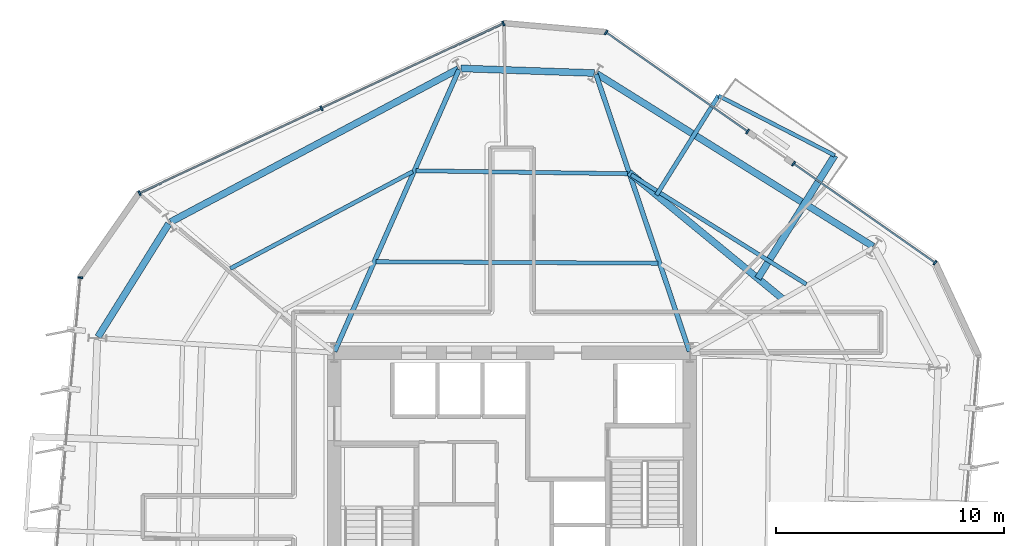
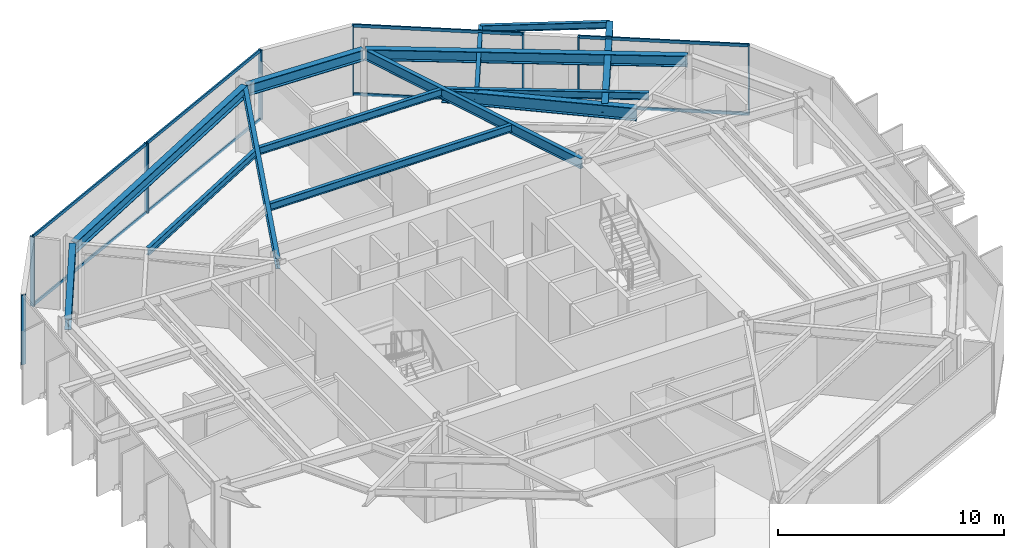
# One storey, part 5 of 12: 16 members, 14 beams, 4 elements without a shape of their own.
"""IFC4 building model written with IfcOpenShell, lengths in metres."""

from ifc_helpers import new_model, si_unit, direction, frame, origin, origin_2d, place, context, subcontext, project, spatial, rectangle, i_section, extrude, material, layer, layer_set, material_profile, profile_set, type_object, element, aggregate, save


model = new_model("IFC4")

# Units and contexts
model_context = context("Model", 3, precision=1e-05, world=origin(), true_north=direction((0.0, 1.0)))
body_context = subcontext(model_context, "Body", "Model", "MODEL_VIEW")
ifc_project = project(units=[si_unit("LENGTHUNIT", "METRE"), si_unit("AREAUNIT", "SQUARE_METRE"), si_unit("VOLUMEUNIT", "CUBIC_METRE"), si_unit("PLANEANGLEUNIT", "RADIAN"), si_unit("MASSUNIT", "GRAM", prefix="KILO")], contexts=[model_context])

# Site, building, storey
site_placement = place(None, origin())
site = spatial("IfcSite", under=ifc_project, at=site_placement, CompositionType="ELEMENT")
building_placement = place(site_placement, origin())
building = spatial("IfcBuilding", under=site, at=building_placement, Name="Kranzbogen Civic Tower", CompositionType="ELEMENT")
storey_placement = place(building_placement, frame((0.0, 0.0, 122.39990234375)))
storey = spatial("IfcBuildingStorey", under=building, at=storey_placement, Name="L29", CompositionType="ELEMENT", Elevation=122.39990234375)

# Beam
ifc_material_1 = material(Name="Steel S355", Category="steel")
ifc_material_profile_1 = material_profile(ifc_material_1, i_section(OverallWidth=0.18994140625, OverallDepth=0.449951171875, WebThickness=0.009521484375, FlangeThickness=0.0146484375, at=origin_2d()), Name="IPE 450")
ifc_profile_set_1 = profile_set([ifc_material_profile_1], Name="Steel S355")
beam_type_1 = type_object("IfcBeamType", Name="Braced Terrace Edge Beam IPE 450", PredefinedType="BEAM", material=ifc_profile_set_1)
beam_1_placement = place(storey_placement, frame((31.337890625, 39.116943359375, 3.4951171875), z_axis=(0.530024595474, 0.847982268796, 0.0), x_axis=(-0.847982268796, 0.530024595474, 0.0)))
element("IfcBeam", 1, at=beam_1_placement, inside=storey, type_object=beam_type_1, Name="L30 back-spanned terrace beam L30-ST-2", PredefinedType="BEAM", context=body_context, shape_type="SweptSolid", body=[
    extrude(i_section(OverallWidth=0.18994140625, OverallDepth=0.449951171875, WebThickness=0.009521484375, FlangeThickness=0.0146484375, at=origin_2d()), origin(), (0.0, 0.0, 1.0), 5.13232421875),
])

# Curtain wall, members
ifc_material_2 = material(Name="Pale Anodised Aluminium", Category="aluminium")
ifc_layer = layer(ifc_material_2, 0.219970703125, Name="Pale Anodised Aluminium")
ifc_layer_set = layer_set([ifc_layer], Name="Pale Anodised Aluminium")
curtain_wall_type = type_object("IfcCurtainWallType", Name="Zone 2 Stick Curtain Wall System CW-03", PredefinedType="USERDEFINED", material=ifc_layer_set)
curtain_wall_1_placement = place(storey_placement, origin())
curtain_wall_1 = element("IfcCurtainWall", 2, at=curtain_wall_1_placement, inside=storey, type_object=curtain_wall_type, Name="L29 curtain wall CW-L29-F1-S1", ObjectType="STICK CURTAIN WALL", PredefinedType="USERDEFINED")
ifc_material_profile_2 = material_profile(ifc_material_2, rectangle(XDim=0.074951171875, YDim=0.219970703125, at=origin_2d()), Name="ALU-M 75x220")
ifc_profile_set_2 = profile_set([ifc_material_profile_2], Name="Pale Anodised Aluminium")
member_type_1 = type_object("IfcMemberType", Name="Curtain Wall Mullion ALU-M 75x220", PredefinedType="MULLION", material=ifc_profile_set_2)
member_1_placement = place(storey_placement, frame((43.552490234375, 36.146240234375, 0.0), z_axis=(0.0, 0.0, 1.0), x_axis=(-0.819114974608, 0.573629373701, 0.0)))
member_1 = element("IfcMember", 3, at=member_1_placement, type_object=member_type_1, Name="CW-03 mullion 1", PredefinedType="MULLION", context=body_context, shape_type="SweptSolid", body=[
    extrude(rectangle(XDim=0.074951171875, YDim=0.219970703125, at=origin_2d()), origin(), (0.0, 0.0, 1.0), 3.760009765625),
])
member_2_placement = place(storey_placement, frame((37.3486328125, 40.49072265625, 0.0), z_axis=(0.0, 0.0, 1.0), x_axis=(-0.819114974608, 0.573629373701, 0.0)))
member_2 = element("IfcMember", 4, at=member_2_placement, type_object=member_type_1, Name="CW-03 mullion 2", PredefinedType="MULLION", context=body_context, shape_type="SweptSolid", body=[
    extrude(rectangle(XDim=0.074951171875, YDim=0.219970703125, at=origin_2d()), origin(), (0.0, 0.0, 1.0), 3.760009765625),
])

curtain_wall_2_placement = place(storey_placement, origin())
curtain_wall_2 = element("IfcCurtainWall", 5, at=curtain_wall_2_placement, inside=storey, type_object=curtain_wall_type, Name="L29 curtain wall CW-L29-F1-S2", ObjectType="STICK CURTAIN WALL", PredefinedType="USERDEFINED")
member_3_placement = place(storey_placement, frame((35.33349609375, 41.901123046875, 0.0), z_axis=(0.0, 0.0, 1.0), x_axis=(-0.819096531052, 0.573655709305, 0.0)))
member_3 = element("IfcMember", 6, at=member_3_placement, type_object=member_type_1, Name="CW-03 mullion 1", PredefinedType="MULLION", context=body_context, shape_type="SweptSolid", body=[
    extrude(rectangle(XDim=0.074951171875, YDim=0.219970703125, at=origin_2d()), origin(), (0.0, 0.0, 1.0), 3.760009765625),
])
member_4_placement = place(storey_placement, frame((29.128662109375, 46.246826171875, 0.0), z_axis=(0.0, 0.0, 1.0), x_axis=(-0.819096531052, 0.573655709305, 0.0)))
member_4 = element("IfcMember", 7, at=member_4_placement, type_object=member_type_1, Name="CW-03 mullion 2", PredefinedType="MULLION", context=body_context, shape_type="SweptSolid", body=[
    extrude(rectangle(XDim=0.074951171875, YDim=0.219970703125, at=origin_2d()), origin(), (0.0, 0.0, 1.0), 3.760009765625),
])

curtain_wall_3_placement = place(storey_placement, origin())
curtain_wall_3 = element("IfcCurtainWall", 8, at=curtain_wall_3_placement, inside=storey, type_object=curtain_wall_type, Name="L29 curtain wall CW-L29-F2", ObjectType="STICK CURTAIN WALL", PredefinedType="USERDEFINED")
member_5_placement = place(storey_placement, frame((24.622802734375, 46.640380859375, 0.0), z_axis=(0.0, 0.0, 1.0), x_axis=(-0.906297342068, -0.422640660325, 0.0)))
member_5 = element("IfcMember", 9, at=member_5_placement, type_object=member_type_1, Name="CW-03 mullion 1", PredefinedType="MULLION", context=body_context, shape_type="SweptSolid", body=[
    extrude(rectangle(XDim=0.074951171875, YDim=0.219970703125, at=origin_2d()), origin(), (0.0, 0.0, 1.0), 3.760009765625),
])
member_6_placement = place(storey_placement, frame((16.64404296875, 42.91943359375, 0.0), z_axis=(0.0, 0.0, 1.0), x_axis=(-0.906297342068, -0.422640660325, 0.0)))
member_6 = element("IfcMember", 10, at=member_6_placement, type_object=member_type_1, Name="CW-03 mullion 2", PredefinedType="MULLION", context=body_context, shape_type="SweptSolid", body=[
    extrude(rectangle(XDim=0.074951171875, YDim=0.219970703125, at=origin_2d()), origin(), (0.0, 0.0, 1.0), 3.760009765625),
])
member_7_placement = place(storey_placement, frame((8.665283203125, 39.19873046875, 0.0), z_axis=(0.0, 0.0, 1.0), x_axis=(-0.906297342068, -0.422640660325, 0.0)))
member_7 = element("IfcMember", 11, at=member_7_placement, type_object=member_type_1, Name="CW-03 mullion 3", PredefinedType="MULLION", context=body_context, shape_type="SweptSolid", body=[
    extrude(rectangle(XDim=0.074951171875, YDim=0.219970703125, at=origin_2d()), origin(), (0.0, 0.0, 1.0), 3.760009765625),
])

# Curtain wall, member
curtain_wall_4_placement = place(storey_placement, origin())
curtain_wall_4 = element("IfcCurtainWall", 12, at=curtain_wall_4_placement, inside=storey, type_object=curtain_wall_type, Name="L29 curtain wall CW-L29-F3", ObjectType="STICK CURTAIN WALL", PredefinedType="USERDEFINED")
member_8_placement = place(storey_placement, frame((6.0703125, 35.494140625, 0.0), z_axis=(0.0, 0.0, 1.0), x_axis=(-0.087162035526, -0.996194147525, 0.0)))
member_8 = element("IfcMember", 13, at=member_8_placement, type_object=member_type_1, Name="CW-03 mullion 1", PredefinedType="MULLION", context=body_context, shape_type="SweptSolid", body=[
    extrude(rectangle(XDim=0.074951171875, YDim=0.219970703125, at=origin_2d()), origin(), (0.0, 0.0, 1.0), 3.760009765625),
])
aggregate(curtain_wall_4, [member_8])

# Member
ifc_material_profile_3 = material_profile(ifc_material_2, rectangle(XDim=0.074951171875, YDim=0.1650390625, at=origin_2d()), Name="ALU-T 75x165")
ifc_profile_set_3 = profile_set([ifc_material_profile_3], Name="Pale Anodised Aluminium")
member_type_2 = type_object("IfcMemberType", Name="Curtain Wall Transom ALU-T 75x165", PredefinedType="USERDEFINED", material=ifc_profile_set_3)
member_9_placement = place(storey_placement, frame((43.52783203125, 36.163330078125, 0.030029296875), z_axis=(-0.819109786379, 0.57363678217, 0.0), x_axis=(-0.57363678217, -0.819109786379, 0.0)))
member_9 = element("IfcMember", 14, at=member_9_placement, type_object=member_type_2, Name="CW-03 transom 1.1", ObjectType="TRANSOM", PredefinedType="USERDEFINED", context=body_context, shape_type="SweptSolid", body=[
    extrude(rectangle(XDim=0.074951171875, YDim=0.1650390625, at=origin_2d()), origin(), (0.0, 0.0, 1.0), 7.513916015625),
])

member_10_placement = place(storey_placement, frame((43.52783203125, 36.163330078125, 3.72998046875), z_axis=(-0.819109786379, 0.57363678217, 0.0), x_axis=(-0.57363678217, -0.819109786379, 0.0)))
member_10 = element("IfcMember", 15, at=member_10_placement, type_object=member_type_2, Name="CW-03 transom 1.2", ObjectType="TRANSOM", PredefinedType="USERDEFINED", context=body_context, shape_type="SweptSolid", body=[
    extrude(rectangle(XDim=0.074951171875, YDim=0.1650390625, at=origin_2d()), origin(), (0.0, 0.0, 1.0), 7.513916015625),
])

aggregate(curtain_wall_1, [member_1, member_2, member_9, member_10])

member_11_placement = place(storey_placement, frame((35.308837890625, 41.91845703125, 0.030029296875), z_axis=(-0.819106752876, 0.573641113758, 0.0), x_axis=(-0.573641113758, -0.819106752876, 0.0)))
member_11 = element("IfcMember", 16, at=member_11_placement, type_object=member_type_2, Name="CW-03 transom 1.1", ObjectType="TRANSOM", PredefinedType="USERDEFINED", context=body_context, shape_type="SweptSolid", body=[
    extrude(rectangle(XDim=0.074951171875, YDim=0.1650390625, at=origin_2d()), origin(), (0.0, 0.0, 1.0), 7.51513671875),
])

member_12_placement = place(storey_placement, frame((35.308837890625, 41.91845703125, 3.72998046875), z_axis=(-0.819106752876, 0.573641113758, 0.0), x_axis=(-0.573641113758, -0.819106752876, 0.0)))
member_12 = element("IfcMember", 17, at=member_12_placement, type_object=member_type_2, Name="CW-03 transom 1.2", ObjectType="TRANSOM", PredefinedType="USERDEFINED", context=body_context, shape_type="SweptSolid", body=[
    extrude(rectangle(XDim=0.074951171875, YDim=0.1650390625, at=origin_2d()), origin(), (0.0, 0.0, 1.0), 7.51513671875),
])

aggregate(curtain_wall_2, [member_3, member_4, member_11, member_12])

member_13_placement = place(storey_placement, frame((24.595703125, 46.627685546875, 0.030029296875), z_axis=(-0.906295811831, -0.422643941702, 0.0), x_axis=(0.422643941702, -0.906295811831, 0.0)))
member_13 = element("IfcMember", 18, at=member_13_placement, type_object=member_type_2, Name="CW-03 transom 1.1", ObjectType="TRANSOM", PredefinedType="USERDEFINED", context=body_context, shape_type="SweptSolid", body=[
    extrude(rectangle(XDim=0.074951171875, YDim=0.1650390625, at=origin_2d()), origin(), (0.0, 0.0, 1.0), 8.743896484375),
])

member_14_placement = place(storey_placement, frame((24.595703125, 46.627685546875, 3.72998046875), z_axis=(-0.906295811831, -0.422643941702, 0.0), x_axis=(0.422643941702, -0.906295811831, 0.0)))
member_14 = element("IfcMember", 19, at=member_14_placement, type_object=member_type_2, Name="CW-03 transom 1.2", ObjectType="TRANSOM", PredefinedType="USERDEFINED", context=body_context, shape_type="SweptSolid", body=[
    extrude(rectangle(XDim=0.074951171875, YDim=0.1650390625, at=origin_2d()), origin(), (0.0, 0.0, 1.0), 8.743896484375),
])

member_15_placement = place(storey_placement, frame((16.61669921875, 42.90673828125, 0.030029296875), z_axis=(-0.906301519414, -0.422631702441, 0.0), x_axis=(0.422631702441, -0.906301519414, 0.0)))
member_15 = element("IfcMember", 20, at=member_15_placement, type_object=member_type_2, Name="CW-03 transom 2.1", ObjectType="TRANSOM", PredefinedType="USERDEFINED", context=body_context, shape_type="SweptSolid", body=[
    extrude(rectangle(XDim=0.074951171875, YDim=0.1650390625, at=origin_2d()), origin(), (0.0, 0.0, 1.0), 8.74365234375),
])

member_16_placement = place(storey_placement, frame((16.61669921875, 42.90673828125, 3.72998046875), z_axis=(-0.906301519414, -0.422631702441, 0.0), x_axis=(0.422631702441, -0.906301519414, 0.0)))
member_16 = element("IfcMember", 21, at=member_16_placement, type_object=member_type_2, Name="CW-03 transom 2.2", ObjectType="TRANSOM", PredefinedType="USERDEFINED", context=body_context, shape_type="SweptSolid", body=[
    extrude(rectangle(XDim=0.074951171875, YDim=0.1650390625, at=origin_2d()), origin(), (0.0, 0.0, 1.0), 8.74365234375),
])

aggregate(curtain_wall_3, [member_5, member_6, member_7, member_13, member_14, member_15, member_16])

# Beams
ifc_material_profile_4 = material_profile(ifc_material_1, i_section(OverallWidth=0.300048828125, OverallDepth=0.5, WebThickness=0.014404296875, FlangeThickness=0.028076171875, at=origin_2d()), Name="HEB 500")
ifc_profile_set_4 = profile_set([ifc_material_profile_4], Name="Steel S355")
beam_type_2 = type_object("IfcBeamType", Name="Perimeter Tube Spandrel Beam HEB 500", PredefinedType="SPANDREL", material=ifc_profile_set_4)
beam_2_placement = place(storey_placement, frame((35.782958984375, 35.4580078125, 3.47021484375), z_axis=(0.529909247034, 0.848054355515, 0.0), x_axis=(-0.848054355515, 0.529909247034, 0.0)))
element("IfcBeam", 22, at=beam_2_placement, inside=storey, type_object=beam_type_2, Name="L30 back-spanned terrace beam L30-ST-1", PredefinedType="SPANDREL", context=body_context, shape_type="SweptSolid", body=[
    extrude(i_section(OverallWidth=0.300048828125, OverallDepth=0.5, WebThickness=0.014404296875, FlangeThickness=0.028076171875, at=origin_2d()), origin(), (0.0, 0.0, 1.0), 6.361572265625),
])
ifc_material_profile_5 = material_profile(ifc_material_1, i_section(OverallWidth=0.300048828125, OverallDepth=0.60009765625, WebThickness=0.015380859375, FlangeThickness=0.030029296875, at=origin_2d()), Name="HEB 600")
ifc_profile_set_5 = profile_set([ifc_material_profile_5], Name="Steel S355")
beam_type_3 = type_object("IfcBeamType", Name="Perimeter Tube Spandrel Beam HEB 600", PredefinedType="SPANDREL", material=ifc_profile_set_5)
beam_3_placement = place(storey_placement, frame((40.8349609375, 36.861083984375, 3.460205078125), z_axis=(-0.848051101349, 0.52991445489, 0.0), x_axis=(-0.52991445489, -0.848051101349, 0.0)))
element("IfcBeam", 23, at=beam_3_placement, inside=storey, type_object=beam_type_3, Name="L29 perimeter spandrel beam 08", PredefinedType="SPANDREL", context=body_context, shape_type="SweptSolid", body=[
    extrude(i_section(OverallWidth=0.300048828125, OverallDepth=0.60009765625, WebThickness=0.015380859375, FlangeThickness=0.030029296875, at=origin_2d()), origin(), (0.0, 0.0, 1.0), 14.286865234375),
])
beam_4_placement = place(storey_placement, frame((28.60791015625, 44.466064453125, 3.460205078125), z_axis=(-0.999393148233, 0.03483296234, 0.0), x_axis=(-0.03483296234, -0.999393148233, 0.0)))
element("IfcBeam", 24, at=beam_4_placement, inside=storey, type_object=beam_type_3, Name="L29 perimeter spandrel beam 09", PredefinedType="SPANDREL", context=body_context, shape_type="SweptSolid", body=[
    extrude(i_section(OverallWidth=0.300048828125, OverallDepth=0.60009765625, WebThickness=0.015380859375, FlangeThickness=0.030029296875, at=origin_2d()), origin(), (0.0, 0.0, 1.0), 5.8525390625),
])
beam_5_placement = place(storey_placement, frame((22.64599609375, 44.64404296875, 3.460205078125), z_axis=(-0.882948194046, -0.469470432116, 0.0), x_axis=(0.469470432116, -0.882948194046, 0.0)))
element("IfcBeam", 25, at=beam_5_placement, inside=storey, type_object=beam_type_3, Name="L29 perimeter spandrel beam 10", PredefinedType="SPANDREL", context=body_context, shape_type="SweptSolid", body=[
    extrude(i_section(OverallWidth=0.300048828125, OverallDepth=0.60009765625, WebThickness=0.015380859375, FlangeThickness=0.030029296875, at=origin_2d()), origin(), (0.0, 0.0, 1.0), 14.28857421875),
])
beam_6_placement = place(storey_placement, frame((9.945068359375, 37.85693359375, 3.460205078125), z_axis=(-0.529863902903, -0.848082687242, 0.0), x_axis=(0.848082687242, -0.529863902903, 0.0)))
element("IfcBeam", 26, at=beam_6_placement, inside=storey, type_object=beam_type_3, Name="L29 perimeter spandrel beam 11", PredefinedType="SPANDREL", context=body_context, shape_type="SweptSolid", body=[
    extrude(i_section(OverallWidth=0.300048828125, OverallDepth=0.60009765625, WebThickness=0.015380859375, FlangeThickness=0.030029296875, at=origin_2d()), origin(), (0.0, 0.0, 1.0), 5.850830078125),
])
ifc_material_profile_6 = material_profile(ifc_material_1, i_section(OverallWidth=0.300048828125, OverallDepth=0.699951171875, WebThickness=0.01708984375, FlangeThickness=0.031982421875, at=origin_2d()), Name="HEB 700")
ifc_profile_set_6 = profile_set([ifc_material_profile_6], Name="Steel S355")
beam_type_4 = type_object("IfcBeamType", Name="Perimeter Tube Spandrel Beam HEB 700", PredefinedType="SPANDREL", material=ifc_profile_set_6)
beam_7_placement = place(storey_placement, frame((36.89404296875, 34.5439453125, 3.3701171875), z_axis=(-0.772133132713, 0.635460797663, 0.0), x_axis=(-0.635460797663, -0.772133132713, 0.0)))
element("IfcBeam", 27, at=beam_7_placement, inside=storey, type_object=beam_type_4, Name="L30 balcony back-span header girder L30-ST", PredefinedType="SPANDREL", context=body_context, shape_type="SweptSolid", body=[
    extrude(i_section(OverallWidth=0.300048828125, OverallDepth=0.699951171875, WebThickness=0.01708984375, FlangeThickness=0.031982421875, at=origin_2d()), origin(), (0.0, 0.0, 1.0), 8.751220703125),
])
ifc_material_profile_7 = material_profile(ifc_material_1, i_section(OverallWidth=0.2099609375, OverallDepth=0.550048828125, WebThickness=0.010986328125, FlangeThickness=0.01708984375, at=origin_2d()), Name="IPE 550")
ifc_profile_set_7 = profile_set([ifc_material_profile_7], Name="Steel S355")
beam_type_5 = type_object("IfcBeamType", Name="Radial Tower Floor Girder IPE 550", PredefinedType="BEAM", material=ifc_profile_set_7)
beam_8_placement = place(storey_placement, frame((28.68701171875, 44.406982421875, 3.485107421875), z_axis=(0.319316617377, -0.947648087566, 0.0), x_axis=(0.947648087566, 0.319316617377, 0.0)))
element("IfcBeam", 28, at=beam_8_placement, inside=storey, type_object=beam_type_5, Name="L29 radial floor girder 09", PredefinedType="BEAM", context=body_context, shape_type="SweptSolid", body=[
    extrude(i_section(OverallWidth=0.2099609375, OverallDepth=0.550048828125, WebThickness=0.010986328125, FlangeThickness=0.01708984375, at=origin_2d()), origin(), (0.0, 0.0, 1.0), 12.821044921875),
])
beam_9_placement = place(storey_placement, frame((22.675048828125, 44.616943359375, 3.485107421875), z_axis=(-0.403459127705, -0.914997667905, 0.0), x_axis=(0.914997667905, -0.403459127705, 0.0)))
element("IfcBeam", 29, at=beam_9_placement, inside=storey, type_object=beam_type_5, Name="L29 radial floor girder 10", PredefinedType="BEAM", context=body_context, shape_type="SweptSolid", body=[
    extrude(i_section(OverallWidth=0.2099609375, OverallDepth=0.550048828125, WebThickness=0.010986328125, FlangeThickness=0.01708984375, at=origin_2d()), origin(), (0.0, 0.0, 1.0), 13.510498046875),
])
ifc_material_profile_8 = material_profile(ifc_material_1, i_section(OverallWidth=0.169921875, OverallDepth=0.360107421875, WebThickness=0.008056640625, FlangeThickness=0.0126953125, at=origin_2d()), Name="IPE 360")
ifc_profile_set_8 = profile_set([ifc_material_profile_8], Name="Steel S355")
beam_type_6 = type_object("IfcBeamType", Name="Secondary Composite Floor Joist IPE 360", PredefinedType="JOIST", material=ifc_profile_set_8)
beam_10_placement = place(storey_placement, frame((39.154052734375, 40.85302734375, 3.5400390625), z_axis=(-0.889628798184, 0.456684356467, 0.0), x_axis=(-0.456684356467, -0.889628798184, 0.0)))
element("IfcBeam", 30, at=beam_10_placement, inside=storey, type_object=beam_type_6, Name="L30 terrace outer edge trimmer L30-ST", PredefinedType="JOIST", context=body_context, shape_type="SweptSolid", body=[
    extrude(i_section(OverallWidth=0.169921875, OverallDepth=0.360107421875, WebThickness=0.008056640625, FlangeThickness=0.0126953125, at=origin_2d()), origin(), (0.0, 0.0, 1.0), 5.728271484375),
])
ifc_material_profile_9 = material_profile(ifc_material_1, i_section(OverallWidth=0.179931640625, OverallDepth=0.39990234375, WebThickness=0.008544921875, FlangeThickness=0.013427734375, at=origin_2d()), Name="IPE 400")
ifc_profile_set_9 = profile_set([ifc_material_profile_9], Name="Steel S355")
beam_type_7 = type_object("IfcBeamType", Name="Secondary Composite Floor Joist IPE 400", PredefinedType="JOIST", material=ifc_profile_set_9)
beam_11_placement = place(storey_placement, frame((37.906982421875, 35.205078125, 3.56005859375), z_axis=(-0.848025549308, 0.529955345026, 0.0), x_axis=(-0.529955345026, -0.848025549308, 0.0)))
element("IfcBeam", 31, at=beam_11_placement, inside=storey, type_object=beam_type_7, Name="L29 secondary floor joist 1.08", PredefinedType="JOIST", context=body_context, shape_type="SweptSolid", body=[
    extrude(i_section(OverallWidth=0.179931640625, OverallDepth=0.39990234375, WebThickness=0.008544921875, FlangeThickness=0.013427734375, at=origin_2d()), origin(), (0.0, 0.0, 1.0), 9.06103515625),
])
beam_12_placement = place(storey_placement, frame((30.075927734375, 40.050048828125, 3.56005859375), z_axis=(-0.999900525148, 0.014104602386, 0.0), x_axis=(-0.014104602386, -0.999900525148, 0.0)))
element("IfcBeam", 32, at=beam_12_placement, inside=storey, type_object=beam_type_7, Name="L29 secondary floor joist 1.09", PredefinedType="JOIST", context=body_context, shape_type="SweptSolid", body=[
    extrude(i_section(OverallWidth=0.179931640625, OverallDepth=0.39990234375, WebThickness=0.008544921875, FlangeThickness=0.013427734375, at=origin_2d()), origin(), (0.0, 0.0, 1.0), 9.27783203125),
])
beam_13_placement = place(storey_placement, frame((31.39794921875, 36.125, 3.56005859375), z_axis=(-0.999985774147, 0.005333995002, 0.0), x_axis=(-0.005333995002, -0.999985774147, 0.0)))
element("IfcBeam", 33, at=beam_13_placement, inside=storey, type_object=beam_type_7, Name="L29 secondary floor joist 2.09", PredefinedType="JOIST", context=body_context, shape_type="SweptSolid", body=[
    extrude(i_section(OverallWidth=0.179931640625, OverallDepth=0.39990234375, WebThickness=0.008544921875, FlangeThickness=0.013427734375, at=origin_2d()), origin(), (0.0, 0.0, 1.0), 12.358154296875),
])
beam_14_placement = place(storey_placement, frame((20.64892578125, 40.14501953125, 3.56005859375), z_axis=(-0.882960787661, -0.469446746131, 0.0), x_axis=(0.469446746131, -0.882960787661, 0.0)))
element("IfcBeam", 34, at=beam_14_placement, inside=storey, type_object=beam_type_7, Name="L29 secondary floor joist 1.10", PredefinedType="JOIST", context=body_context, shape_type="SweptSolid", body=[
    extrude(i_section(OverallWidth=0.179931640625, OverallDepth=0.39990234375, WebThickness=0.008544921875, FlangeThickness=0.013427734375, at=origin_2d()), origin(), (0.0, 0.0, 1.0), 9.0615234375),
])

save(model, "model.ifc")
